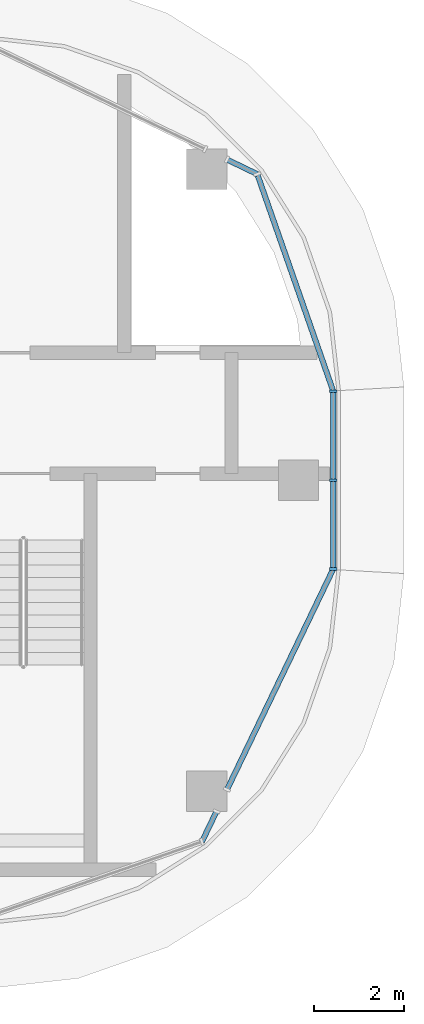
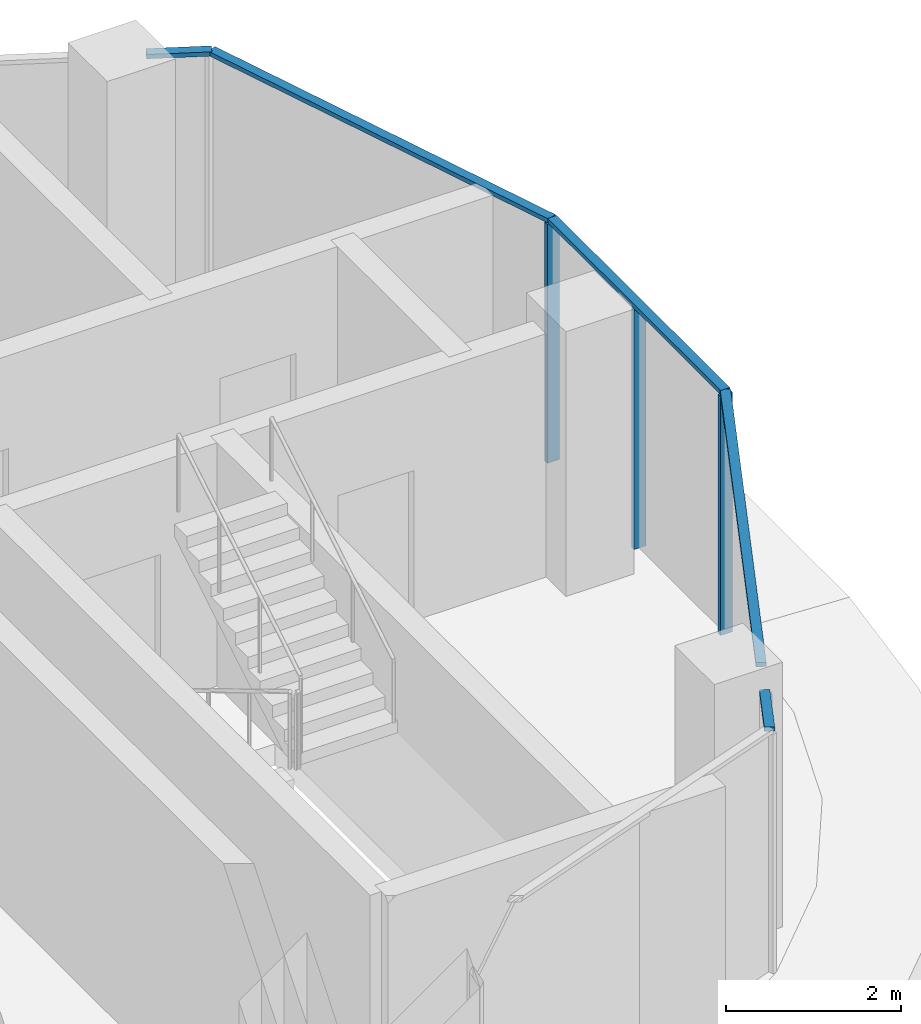
# One storey, part 7 of 22: 8 members, 4 elements without a shape of their own.
"""IFC4 building model written with IfcOpenShell, lengths in metres."""

from ifc_helpers import new_model, si_unit, direction, frame, origin, origin_2d, place, context, subcontext, project, spatial, rectangle, extrude, material, material_profile, profile_set, type_object, element, aggregate, save


model = new_model("IFC4")

# Units and contexts
model_context = context("Model", 3, precision=1e-05, world=origin(), true_north=direction((0.0, 1.0)))
body_context = subcontext(model_context, "Body", "Model", "MODEL_VIEW")
ifc_project = project(units=[si_unit("LENGTHUNIT", "METRE"), si_unit("AREAUNIT", "SQUARE_METRE"), si_unit("VOLUMEUNIT", "CUBIC_METRE"), si_unit("PLANEANGLEUNIT", "RADIAN"), si_unit("MASSUNIT", "GRAM", prefix="KILO")], contexts=[model_context])

# Site, building, storey
site_placement = place(None, origin())
site = spatial("IfcSite", under=ifc_project, at=site_placement, CompositionType="ELEMENT")
building_placement = place(site_placement, origin())
building = spatial("IfcBuilding", under=site, at=building_placement, Name="Ogive Portal Towers", CompositionType="ELEMENT")
storey_placement = place(building_placement, frame((0.0, 0.0, 206.89990234375)))
storey = spatial("IfcBuildingStorey", under=building, at=storey_placement, Name="L51", CompositionType="ELEMENT", Elevation=206.89990234375)

# Curtain wall, members
ifc_material_1 = material(Name="Glass, clear low-iron insulated glazing", Category="glass")
curtain_wall_type = type_object("IfcCurtainWallType", Name="CW FRONT RIBBON 4500", PredefinedType="NOTDEFINED", material=ifc_material_1)
curtain_wall_1_placement = place(storey_placement, origin())
curtain_wall_1 = element("IfcCurtainWall", 1, at=curtain_wall_1_placement, inside=storey, type_object=curtain_wall_type, Name="A:L51:f08:cw0", PredefinedType="NOTDEFINED")
ifc_material_2 = material(Name="Aluminium 6063 anodised", Category="aluminium")
ifc_material_profile_1 = material_profile(ifc_material_2, rectangle(XDim=0.159912109375, YDim=0.06005859375, at=origin_2d()), Name="AL 60x160")
ifc_profile_set_1 = profile_set([ifc_material_profile_1], Name="Aluminium 6063 anodised")
member_type_1 = type_object("IfcMemberType", Name="CW MULLION 60x160", PredefinedType="MULLION", material=ifc_profile_set_1)
member_1_placement = place(storey_placement, frame((95.27490234375, 28.518310546875, 0.0), z_axis=(0.0, 0.0, 1.0), x_axis=(-1.0, 0.0, 0.0)))
member_1 = element("IfcMember", 2, at=member_1_placement, type_object=member_type_1, Name="mullion", PredefinedType="MULLION", context=body_context, shape_type="SweptSolid", body=[
    extrude(rectangle(XDim=0.159912109375, YDim=0.06005859375, at=origin_2d()), origin(), (0.0, 0.0, 1.0), 3.340087890625),
])
member_2_placement = place(storey_placement, frame((95.27490234375, 30.5, 0.0), z_axis=(0.0, 0.0, 1.0), x_axis=(-1.0, 0.0, 0.0)))
member_2 = element("IfcMember", 3, at=member_2_placement, type_object=member_type_1, Name="mullion", PredefinedType="MULLION", context=body_context, shape_type="SweptSolid", body=[
    extrude(rectangle(XDim=0.159912109375, YDim=0.06005859375, at=origin_2d()), origin(), (0.0, 0.0, 1.0), 3.340087890625),
])
member_3_placement = place(storey_placement, frame((95.27490234375, 32.486328125, 0.0), z_axis=(0.0, 0.0, 1.0), x_axis=(-1.0, 0.0, 0.0)))
member_3 = element("IfcMember", 4, at=member_3_placement, type_object=member_type_1, Name="mullion", PredefinedType="MULLION", context=body_context, shape_type="SweptSolid", body=[
    extrude(rectangle(XDim=0.159912109375, YDim=0.06005859375, at=origin_2d()), origin(), (0.0, 0.0, 1.0), 3.340087890625),
])
ifc_material_profile_2 = material_profile(ifc_material_2, rectangle(XDim=0.1201171875, YDim=0.06005859375, at=origin_2d()), Name="AL 120x60")
ifc_profile_set_2 = profile_set([ifc_material_profile_2], Name="Aluminium 6063 anodised")
member_type_2 = type_object("IfcMemberType", Name="CW TRANSOM 60x120", PredefinedType="USERDEFINED", material=ifc_profile_set_2)
member_4_placement = place(storey_placement, frame((95.27490234375, 28.518310546875, 3.3701171875), z_axis=(0.0, 1.0, 0.0), x_axis=(-1.0, 0.0, 0.0)))
member_4 = element("IfcMember", 5, at=member_4_placement, type_object=member_type_2, Name="transom", ObjectType="TRANSOM", PredefinedType="USERDEFINED", context=body_context, shape_type="SweptSolid", body=[
    extrude(rectangle(XDim=0.1201171875, YDim=0.06005859375, at=origin_2d()), origin(), (0.0, 0.0, 1.0), 3.968017578125),
])
aggregate(curtain_wall_1, [member_4, member_1, member_2, member_3])

# Curtain wall, member
curtain_wall_2_placement = place(storey_placement, origin())
curtain_wall_2 = element("IfcCurtainWall", 6, at=curtain_wall_2_placement, inside=storey, type_object=curtain_wall_type, Name="A:L51:f06:cwa~0", PredefinedType="NOTDEFINED")
member_5_placement = place(storey_placement, frame((92.33984375, 22.42333984375, 3.3701171875), z_axis=(0.433903567931, 0.90095931858, 0.0), x_axis=(-0.90095931858, 0.433903567931, 0.0)))
member_5 = element("IfcMember", 7, at=member_5_placement, type_object=member_type_2, Name="transom", ObjectType="TRANSOM", PredefinedType="USERDEFINED", context=body_context, shape_type="SweptSolid", body=[
    extrude(rectangle(XDim=0.1201171875, YDim=0.06005859375, at=origin_2d()), origin(), (0.0, 0.0, 1.0), 0.751220703125),
])
aggregate(curtain_wall_2, [member_5])

curtain_wall_3_placement = place(storey_placement, origin())
curtain_wall_3 = element("IfcCurtainWall", 8, at=curtain_wall_3_placement, inside=storey, type_object=curtain_wall_type, Name="A:L51:f06:cwa~1", PredefinedType="NOTDEFINED")
member_6_placement = place(storey_placement, frame((92.89990234375, 23.58642578125, 3.3701171875), z_axis=(0.433873280618, 0.900973904376, 0.0), x_axis=(-0.900973904376, 0.433873280618, 0.0)))
member_6 = element("IfcMember", 9, at=member_6_placement, type_object=member_type_2, Name="transom", ObjectType="TRANSOM", PredefinedType="USERDEFINED", context=body_context, shape_type="SweptSolid", body=[
    extrude(rectangle(XDim=0.1201171875, YDim=0.06005859375, at=origin_2d()), origin(), (0.0, 0.0, 1.0), 5.473876953125),
])
aggregate(curtain_wall_3, [member_6])

# Curtain wall, members
curtain_wall_4_placement = place(storey_placement, origin())
curtain_wall_4 = element("IfcCurtainWall", 10, at=curtain_wall_4_placement, inside=storey, type_object=curtain_wall_type, Name="A:L51:f09:cwa~0", PredefinedType="NOTDEFINED")
member_7_placement = place(storey_placement, frame((95.27490234375, 32.486328125, 3.3701171875), z_axis=(-0.330265827813, 0.943887961031, 0.0), x_axis=(-0.943887961031, -0.330265827813, 0.0)))
member_7 = element("IfcMember", 11, at=member_7_placement, type_object=member_type_2, Name="transom", ObjectType="TRANSOM", PredefinedType="USERDEFINED", context=body_context, shape_type="SweptSolid", body=[
    extrude(rectangle(XDim=0.1201171875, YDim=0.06005859375, at=origin_2d()), origin(), (0.0, 0.0, 1.0), 5.14208984375),
])
member_8_placement = place(storey_placement, frame((93.57666015625, 37.33984375, 3.3701171875), z_axis=(-0.90095931858, 0.433903567931, 0.0), x_axis=(-0.433903567931, -0.90095931858, 0.0)))
member_8 = element("IfcMember", 12, at=member_8_placement, type_object=member_type_2, Name="transom", ObjectType="TRANSOM", PredefinedType="USERDEFINED", context=body_context, shape_type="SweptSolid", body=[
    extrude(rectangle(XDim=0.1201171875, YDim=0.06005859375, at=origin_2d()), origin(), (0.0, 0.0, 1.0), 0.751220703125),
])
aggregate(curtain_wall_4, [member_7, member_8])

save(model, "model.ifc")
